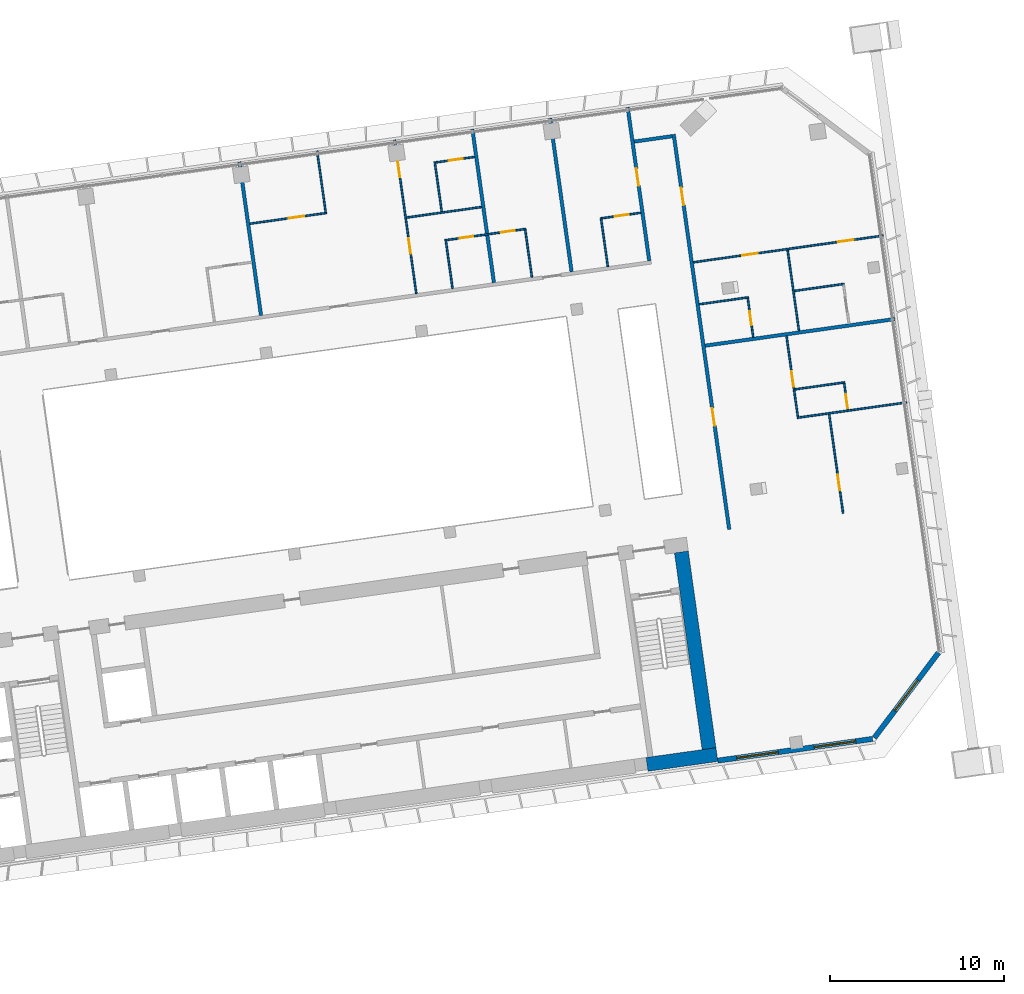
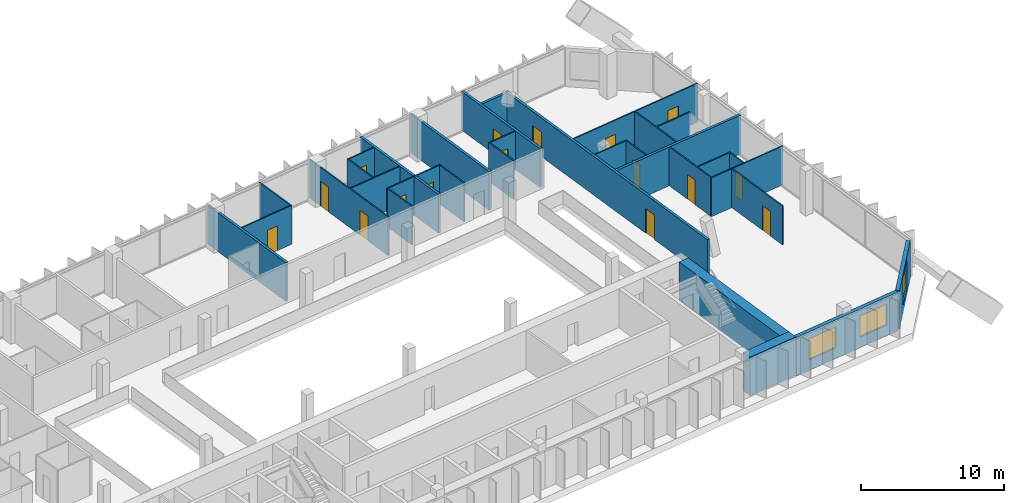
# One storey, part 25 of 34: 32 walls, 16 doors, 3 windows, 19 openings.
"""IFC4 building model written with IfcOpenShell, lengths in metres."""

from ifc_helpers import new_model, si_unit, direction, frame, frame_2d, origin, place, context, subcontext, project, spatial, rectangle, extrude, material, layer, layer_set, type_object, element, fill, save


model = new_model("IFC4")

# Units and contexts
model_context = context("Model", 3, precision=1e-05, world=origin(), true_north=direction((0.0, 1.0)))
body_context = subcontext(model_context, "Body", "Model", "MODEL_VIEW")
ifc_project = project(units=[si_unit("LENGTHUNIT", "METRE"), si_unit("AREAUNIT", "SQUARE_METRE"), si_unit("VOLUMEUNIT", "CUBIC_METRE"), si_unit("PLANEANGLEUNIT", "RADIAN"), si_unit("MASSUNIT", "GRAM", prefix="KILO")], contexts=[model_context])

# Site, building, storey
site_placement = place(None, origin())
site = spatial("IfcSite", under=ifc_project, at=site_placement, CompositionType="ELEMENT")
building_placement = place(site_placement, origin())
building = spatial("IfcBuilding", under=site, at=building_placement, Name="Mirante Cascada Hotel Towers", CompositionType="ELEMENT")
storey_placement = place(building_placement, frame((0.0, 0.0, 148.1)))
storey = spatial("IfcBuildingStorey", under=building, at=storey_placement, Name="L34", CompositionType="ELEMENT", Elevation=148.1)

# Walls
ifc_material_1 = material(Name="Fire-rated plasterboard on metal studs")
ifc_layer_1 = layer(ifc_material_1, 0.2)
ifc_layer_set_1 = layer_set([ifc_layer_1], Name="Compartment wall 200 EI 120")
wall_type_1 = type_object("IfcWallType", Name="Compartment wall 200 EI 120", PredefinedType="PARTITIONING", material=ifc_layer_set_1)
wall_1_placement = place(storey_placement, frame((100.6266, 12.8067, 0.0), z_axis=(0.0, 0.0, 1.0), x_axis=(-0.990268, -0.1391733, 0.0)))
element("IfcWall", 1, at=wall_1_placement, inside=storey, type_object=wall_type_1, Name="Wall 2-L34-12", PredefinedType="PARTITIONING", context=body_context, shape_type="SweptSolid", body=[
    extrude(rectangle(XDim=11.0, YDim=0.2, at=frame_2d((5.5, 0.0))), origin(), (0.0, 0.0, 1.0), 3.3),
])
wall_2_placement = place(storey_placement, frame((85.6638, 22.9901, 0.0), z_axis=(0.0, 0.0, 1.0), x_axis=(0.990267, 0.139181, 0.0)))
element("IfcWall", 2, at=wall_2_placement, inside=storey, type_object=wall_type_1, Name="Wall 2-L34-25", PredefinedType="PARTITIONING", context=body_context, shape_type="SweptSolid", body=[
    extrude(rectangle(XDim=2.2, YDim=0.2, at=frame_2d((1.1, 0.0))), origin(), (0.0, 0.0, 1.0), 3.3),
])
for number, where, z_axis, x_axis, name in (
    (3, (64.244, 13.0119, 0.0), (0.0, 0.0, 1.0), (-0.1391684, 0.9902687, 0.0), "Wall 2-L34-41"),
    (4, (76.374, 23.7042, 0.0), (0.0, 0.0, 1.0), (0.1391684, -0.9902687, 0.0), "Wall 2-L34-46"),
):
    element("IfcWall", number, at=place(storey_placement, frame(where, z_axis=z_axis, x_axis=x_axis)), inside=storey, type_object=wall_type_1, Name=name, PredefinedType="PARTITIONING", context=body_context, shape_type="SweptSolid", body=[
        extrude(rectangle(XDim=8.9, YDim=0.2, at=frame_2d((4.45, 0.0))), origin(), (0.0, 0.0, 1.0), 3.3),
    ])
wall_3_placement = place(storey_placement, frame((80.8302, 24.3304, 0.0), z_axis=(0.0, 0.0, 1.0), x_axis=(0.13917, -0.9902685, 0.0)))
element("IfcWall", 5, at=wall_3_placement, inside=storey, type_object=wall_type_1, Name="Wall 2-L34-48", PredefinedType="PARTITIONING", context=body_context, shape_type="SweptSolid", body=[
    extrude(rectangle(XDim=8.8999, YDim=0.2, at=frame_2d((4.45, 0.0))), origin(), (0.0, 0.0, 1.0), 3.3),
])

# Wall, opening, door
wall_4_placement = place(storey_placement, frame((85.2864, 24.9567, 0.0), z_axis=(0.0, 0.0, 1.0), x_axis=(0.1391684, -0.9902687, 0.0)))
wall_4 = element("IfcWall", 6, at=wall_4_placement, inside=storey, type_object=wall_type_1, Name="Wall 2-L34-50", PredefinedType="PARTITIONING", context=body_context, shape_type="SweptSolid", body=[
    extrude(rectangle(XDim=8.9, YDim=0.2, at=frame_2d((4.45, 0.0))), origin(), (0.0, 0.0, 1.0), 3.3),
])
opening_1_placement = place(wall_4_placement, frame((3.55, 0.0, 0.0)))
opening_1 = element("IfcOpeningElement", 7, at=opening_1_placement, cuts=wall_4, Name="Opening D2-L34-28", PredefinedType="OPENING", context=body_context, shape_type="SweptSolid", body=[
    extrude(rectangle(XDim=1.0, YDim=2.1, at=frame_2d((0.5, 1.05))), frame((0.0, 0.1, 0.0), z_axis=(0.0, -1.0, 0.0), x_axis=(1.0, 0.0, 0.0)), (0.0, 0.0, 1.0), 0.2),
])
ifc_material_2 = material(Name="Fire-rated timber door leaf", Category="wood")
door_type_1 = type_object("IfcDoorType", Name="Entrance door DG1 1000x2100 EI 60", OperationType="SINGLE_SWING_LEFT", PredefinedType="DOOR", material=ifc_material_2)
door_1_placement = place(opening_1_placement, frame((1.0, 0.0, 0.0), z_axis=(0.0, 0.0, 1.0), x_axis=(-1.0, 0.0, 0.0)))
door_1 = element("IfcDoor", 8, at=door_1_placement, inside=storey, type_object=door_type_1, Name="Door D2-L34-28", OperationType="SINGLE_SWING_RIGHT", OverallHeight=2.1, OverallWidth=1.0, PredefinedType="DOOR", context=body_context, shape_type="SweptSolid", body=[
    extrude(rectangle(XDim=1.0, YDim=2.1, at=frame_2d((0.5, 1.05))), frame((0.0, 0.025, 0.0), z_axis=(0.0, -1.0, 0.0), x_axis=(1.0, 0.0, 0.0)), (0.0, 0.0, 1.0), 0.05),
])
fill(opening_1, door_1)

# Wall, openings, doors
wall_5_placement = place(storey_placement, frame((91.1145, 0.7321, 0.0), z_axis=(0.0, 0.0, 1.0), x_axis=(-0.1391706, 0.9902684, 0.0)))
wall_5 = element("IfcWall", 9, at=wall_5_placement, inside=storey, type_object=wall_type_1, Name="Wall 2-L34-51", PredefinedType="PARTITIONING", context=body_context, shape_type="SweptSolid", body=[
    extrude(rectangle(XDim=22.9, YDim=0.2, at=frame_2d((11.45, 0.0))), origin(), (0.0, 0.0, 1.0), 3.3),
])
opening_2_placement = place(wall_5_placement, frame((6.0167, 0.0, 0.0)))
opening_2 = element("IfcOpeningElement", 10, at=opening_2_placement, cuts=wall_5, Name="Opening D2-L34-29", PredefinedType="OPENING", context=body_context, shape_type="SweptSolid", body=[
    extrude(rectangle(XDim=1.0, YDim=2.1, at=frame_2d((0.5, 1.05))), frame((0.0, 0.1, 0.0), z_axis=(0.0, -1.0, 0.0), x_axis=(1.0, 0.0, 0.0)), (0.0, 0.0, 1.0), 0.2),
])
opening_3_placement = place(wall_5_placement, frame((18.8, 0.0, 0.0)))
opening_3 = element("IfcOpeningElement", 11, at=opening_3_placement, cuts=wall_5, Name="Opening D2-L34-30", PredefinedType="OPENING", context=body_context, shape_type="SweptSolid", body=[
    extrude(rectangle(XDim=1.0, YDim=2.1, at=frame_2d((0.5, 1.05))), frame((0.0, 0.1, 0.0), z_axis=(0.0, -1.0, 0.0), x_axis=(1.0, 0.0, 0.0)), (0.0, 0.0, 1.0), 0.2),
])
door_2_placement = place(opening_2_placement, frame((1.0, 0.0, 0.0), z_axis=(0.0, 0.0, 1.0), x_axis=(-1.0, 0.0, 0.0)))
door_2 = element("IfcDoor", 12, at=door_2_placement, inside=storey, type_object=door_type_1, Name="Door D2-L34-29", OperationType="SINGLE_SWING_RIGHT", OverallHeight=2.1, OverallWidth=1.0, PredefinedType="DOOR", context=body_context, shape_type="SweptSolid", body=[
    extrude(rectangle(XDim=1.0, YDim=2.1, at=frame_2d((0.5, 1.05))), frame((0.0, 0.025, 0.0), z_axis=(0.0, -1.0, 0.0), x_axis=(1.0, 0.0, 0.0)), (0.0, 0.0, 1.0), 0.05),
])
fill(opening_2, door_2)
door_3_placement = place(opening_3_placement, frame((1.0, 0.0, 0.0), z_axis=(0.0, 0.0, 1.0), x_axis=(-1.0, 0.0, 0.0)))
door_3 = element("IfcDoor", 13, at=door_3_placement, inside=storey, type_object=door_type_1, Name="Door D2-L34-30", OperationType="SINGLE_SWING_RIGHT", OverallHeight=2.1, OverallWidth=1.0, PredefinedType="DOOR", context=body_context, shape_type="SweptSolid", body=[
    extrude(rectangle(XDim=1.0, YDim=2.1, at=frame_2d((0.5, 1.05))), frame((0.0, 0.025, 0.0), z_axis=(0.0, -1.0, 0.0), x_axis=(1.0, 0.0, 0.0)), (0.0, 0.0, 1.0), 0.05),
])
fill(opening_3, door_3)

# Walls
ifc_material_3 = material(Name="Plasterboard on metal studs")
ifc_layer_2 = layer(ifc_material_3, 0.1)
ifc_layer_set_2 = layer_set([ifc_layer_2], Name="Partition 100")
wall_type_2 = type_object("IfcWallType", Name="Partition 100", PredefinedType="PARTITIONING", material=ifc_layer_set_2)
wall_6_placement = place(storey_placement, frame((95.0111, 7.1367, 0.0), z_axis=(0.0, 0.0, 1.0), x_axis=(0.990267, 0.139181, 0.0)))
element("IfcWall", 14, at=wall_6_placement, inside=storey, type_object=wall_type_2, Name="Wall 2-L34-07", PredefinedType="PARTITIONING", context=body_context, shape_type="SweptSolid", body=[
    extrude(rectangle(XDim=6.35, YDim=0.1, at=frame_2d((3.175, 0.0))), origin(), (0.0, 0.0, 1.0), 3.3),
])
wall_7_placement = place(storey_placement, frame((97.7546, 9.1716, 0.0), z_axis=(0.0, 0.0, 1.0), x_axis=(-0.9902683, -0.1391714, 0.0)))
element("IfcWall", 15, at=wall_7_placement, inside=storey, type_object=wall_type_2, Name="Wall 2-L34-08", PredefinedType="PARTITIONING", context=body_context, shape_type="SweptSolid", body=[
    extrude(rectangle(XDim=2.9, YDim=0.1, at=frame_2d((1.45, 0.0))), origin(), (0.0, 0.0, 1.0), 3.3),
])
wall_8_placement = place(storey_placement, frame((89.3997, 13.6525, 0.0), z_axis=(0.0, 0.0, 1.0), x_axis=(0.9902697, 0.1391613, 0.0)))
element("IfcWall", 16, at=wall_8_placement, inside=storey, type_object=wall_type_2, Name="Wall 2-L34-13", PredefinedType="PARTITIONING", context=body_context, shape_type="SweptSolid", body=[
    extrude(rectangle(XDim=2.8499, YDim=0.1, at=frame_2d((1.425, 0.0))), origin(), (0.0, 0.0, 1.0), 3.3),
])
wall_9_placement = place(storey_placement, frame((97.7179, 14.8215, 0.0), z_axis=(0.0, 0.0, 1.0), x_axis=(-0.9902683, -0.1391714, 0.0)))
element("IfcWall", 17, at=wall_9_placement, inside=storey, type_object=wall_type_2, Name="Wall 2-L34-14", PredefinedType="PARTITIONING", context=body_context, shape_type="SweptSolid", body=[
    extrude(rectangle(XDim=2.9, YDim=0.1, at=frame_2d((1.45, 0.0))), origin(), (0.0, 0.0, 1.0), 3.3),
])

# Wall, openings, doors
wall_10_placement = place(storey_placement, frame((89.061, 16.0622, 0.0), z_axis=(0.0, 0.0, 1.0), x_axis=(0.9902682, 0.1391721, 0.0)))
wall_10 = element("IfcWall", 18, at=wall_10_placement, inside=storey, type_object=wall_type_2, Name="Wall 2-L34-15", PredefinedType="PARTITIONING", context=body_context, shape_type="SweptSolid", body=[
    extrude(rectangle(XDim=11.0001, YDim=0.1, at=frame_2d((5.5, 0.0))), origin(), (0.0, 0.0, 1.0), 3.3),
])
opening_4_placement = place(wall_10_placement, frame((2.825, 0.0, 0.0)))
opening_4 = element("IfcOpeningElement", 19, at=opening_4_placement, cuts=wall_10, Name="Opening D2-L34-04", PredefinedType="OPENING", context=body_context, shape_type="SweptSolid", body=[
    extrude(rectangle(XDim=0.9, YDim=2.1, at=frame_2d((0.45, 1.05))), frame((0.0, 0.05, 0.0), z_axis=(0.0, -1.0, 0.0), x_axis=(1.0, 0.0, 0.0)), (0.0, 0.0, 1.0), 0.1),
])
opening_5_placement = place(wall_10_placement, frame((8.375, 0.0, 0.0)))
opening_5 = element("IfcOpeningElement", 20, at=opening_5_placement, cuts=wall_10, Name="Opening D2-L34-05", PredefinedType="OPENING", context=body_context, shape_type="SweptSolid", body=[
    extrude(rectangle(XDim=0.9, YDim=2.1, at=frame_2d((0.45, 1.05))), frame((0.0, 0.05, 0.0), z_axis=(0.0, -1.0, 0.0), x_axis=(1.0, 0.0, 0.0)), (0.0, 0.0, 1.0), 0.1),
])
ifc_material_4 = material(Name="Timber door leaf", Category="wood")
door_type_2 = type_object("IfcDoorType", Name="Room door DG3 900x2100", OperationType="SINGLE_SWING_LEFT", PredefinedType="DOOR", material=ifc_material_4)
door_4_placement = place(opening_4_placement, origin())
door_4 = element("IfcDoor", 21, at=door_4_placement, inside=storey, type_object=door_type_2, Name="Door D2-L34-04", OperationType="SINGLE_SWING_LEFT", OverallHeight=2.1, OverallWidth=0.9, PredefinedType="DOOR", context=body_context, shape_type="SweptSolid", body=[
    extrude(rectangle(XDim=0.9, YDim=2.1, at=frame_2d((0.45, 1.05))), frame((0.0, 0.025, 0.0), z_axis=(0.0, -1.0, 0.0), x_axis=(1.0, 0.0, 0.0)), (0.0, 0.0, 1.0), 0.05),
])
fill(opening_4, door_4)
door_5_placement = place(opening_5_placement, origin())
door_5 = element("IfcDoor", 22, at=door_5_placement, inside=storey, type_object=door_type_2, Name="Door D2-L34-05", OperationType="SINGLE_SWING_LEFT", OverallHeight=2.1, OverallWidth=0.9, PredefinedType="DOOR", context=body_context, shape_type="SweptSolid", body=[
    extrude(rectangle(XDim=0.9, YDim=2.1, at=frame_2d((0.45, 1.05))), frame((0.0, 0.025, 0.0), z_axis=(0.0, -1.0, 0.0), x_axis=(1.0, 0.0, 0.0)), (0.0, 0.0, 1.0), 0.05),
])
fill(opening_5, door_5)

wall_11_placement = place(storey_placement, frame((74.7968, 17.3226, 0.0), z_axis=(0.0, 0.0, 1.0), x_axis=(0.9902682, 0.139172, 0.0)))
wall_11 = element("IfcWall", 23, at=wall_11_placement, inside=storey, type_object=wall_type_2, Name="Wall 2-L34-19", PredefinedType="PARTITIONING", context=body_context, shape_type="SweptSolid", body=[
    extrude(rectangle(XDim=4.6999, YDim=0.1, at=frame_2d((2.35, 0.0))), origin(), (0.0, 0.0, 1.0), 3.3),
])
opening_6_placement = place(wall_11_placement, frame((0.85, 0.0, 0.0)))
opening_6 = element("IfcOpeningElement", 24, at=opening_6_placement, cuts=wall_11, Name="Opening D2-L34-14", PredefinedType="OPENING", context=body_context, shape_type="SweptSolid", body=[
    extrude(rectangle(XDim=0.8, YDim=2.1, at=frame_2d((0.4, 1.05))), frame((0.0, 0.05, 0.0), z_axis=(0.0, -1.0, 0.0), x_axis=(1.0, 0.0, 0.0)), (0.0, 0.0, 1.0), 0.1),
])
opening_7_placement = place(wall_11_placement, frame((3.25, 0.0, 0.0)))
opening_7 = element("IfcOpeningElement", 25, at=opening_7_placement, cuts=wall_11, Name="Opening D2-L34-15", PredefinedType="OPENING", context=body_context, shape_type="SweptSolid", body=[
    extrude(rectangle(XDim=0.8, YDim=2.1, at=frame_2d((0.4, 1.05))), frame((0.0, 0.05, 0.0), z_axis=(0.0, -1.0, 0.0), x_axis=(1.0, 0.0, 0.0)), (0.0, 0.0, 1.0), 0.1),
])
ifc_material_5 = material(Name="Timber door leaf", Category="wood")
door_type_3 = type_object("IfcDoorType", Name="Bathroom door DG4 800x2100", OperationType="SINGLE_SWING_LEFT", PredefinedType="DOOR", material=ifc_material_5)
door_6_placement = place(opening_6_placement, frame((0.8, 0.0, 0.0), z_axis=(0.0, 0.0, 1.0), x_axis=(-1.0, 0.0, 0.0)))
door_6 = element("IfcDoor", 26, at=door_6_placement, inside=storey, type_object=door_type_3, Name="Door D2-L34-14", OperationType="SINGLE_SWING_RIGHT", OverallHeight=2.1, OverallWidth=0.8, PredefinedType="DOOR", context=body_context, shape_type="SweptSolid", body=[
    extrude(rectangle(XDim=0.8, YDim=2.1, at=frame_2d((0.4, 1.05))), frame((0.0, 0.025, 0.0), z_axis=(0.0, -1.0, 0.0), x_axis=(1.0, 0.0, 0.0)), (0.0, 0.0, 1.0), 0.05),
])
fill(opening_6, door_6)
door_7_placement = place(opening_7_placement, origin())
door_7 = element("IfcDoor", 27, at=door_7_placement, inside=storey, type_object=door_type_3, Name="Door D2-L34-15", OperationType="SINGLE_SWING_LEFT", OverallHeight=2.1, OverallWidth=0.8, PredefinedType="DOOR", context=body_context, shape_type="SweptSolid", body=[
    extrude(rectangle(XDim=0.8, YDim=2.1, at=frame_2d((0.4, 1.05))), frame((0.0, 0.025, 0.0), z_axis=(0.0, -1.0, 0.0), x_axis=(1.0, 0.0, 0.0)), (0.0, 0.0, 1.0), 0.05),
])
fill(opening_7, door_7)

# Wall, opening, door
wall_12_placement = place(storey_placement, frame((86.0363, 18.9022, 0.0), z_axis=(0.0, 0.0, 1.0), x_axis=(-0.9902643, -0.1391997, 0.0)))
wall_12 = element("IfcWall", 28, at=wall_12_placement, inside=storey, type_object=wall_type_2, Name="Wall 2-L34-20", PredefinedType="PARTITIONING", context=body_context, shape_type="SweptSolid", body=[
    extrude(rectangle(XDim=2.25, YDim=0.1, at=frame_2d((1.125, 0.0))), origin(), (0.0, 0.0, 1.0), 3.3),
])
opening_8_placement = place(wall_12_placement, frame((0.7, 0.0, 0.0)))
opening_8 = element("IfcOpeningElement", 29, at=opening_8_placement, cuts=wall_12, Name="Opening D2-L34-16", PredefinedType="OPENING", context=body_context, shape_type="SweptSolid", body=[
    extrude(rectangle(XDim=0.8, YDim=2.1, at=frame_2d((0.4, 1.05))), frame((0.0, 0.05, 0.0), z_axis=(0.0, -1.0, 0.0), x_axis=(1.0, 0.0, 0.0)), (0.0, 0.0, 1.0), 0.1),
])
door_8_placement = place(opening_8_placement, frame((0.8, 0.0, 0.0), z_axis=(0.0, 0.0, 1.0), x_axis=(-1.0, 0.0, 0.0)))
door_8 = element("IfcDoor", 30, at=door_8_placement, inside=storey, type_object=door_type_3, Name="Door D2-L34-16", OperationType="SINGLE_SWING_RIGHT", OverallHeight=2.1, OverallWidth=0.8, PredefinedType="DOOR", context=body_context, shape_type="SweptSolid", body=[
    extrude(rectangle(XDim=0.8, YDim=2.1, at=frame_2d((0.4, 1.05))), frame((0.0, 0.025, 0.0), z_axis=(0.0, -1.0, 0.0), x_axis=(1.0, 0.0, 0.0)), (0.0, 0.0, 1.0), 0.05),
])
fill(opening_8, door_8)

# Wall
wall_13_placement = place(storey_placement, frame((76.9012, 19.234, 0.0), z_axis=(0.0, 0.0, 1.0), x_axis=(-0.9902679, -0.1391745, 0.0)))
element("IfcWall", 31, at=wall_13_placement, inside=storey, type_object=wall_type_2, Name="Wall 2-L34-22", PredefinedType="PARTITIONING", context=body_context, shape_type="SweptSolid", body=[
    extrude(rectangle(XDim=4.3499, YDim=0.1, at=frame_2d((2.175, 0.0))), origin(), (0.0, 0.0, 1.0), 3.3),
])

# Wall, opening, door
wall_14_placement = place(storey_placement, frame((63.6054, 18.2743, 0.0), z_axis=(0.0, 0.0, 1.0), x_axis=(0.9902687, 0.1391684, 0.0)))
wall_14 = element("IfcWall", 32, at=wall_14_placement, inside=storey, type_object=wall_type_2, Name="Wall 2-L34-23", PredefinedType="PARTITIONING", context=body_context, shape_type="SweptSolid", body=[
    extrude(rectangle(XDim=4.45, YDim=0.1, at=frame_2d((2.225, 0.0))), origin(), (0.0, 0.0, 1.0), 3.3),
])
opening_9_placement = place(wall_14_placement, frame((2.25, 0.0, 0.0)))
opening_9 = element("IfcOpeningElement", 33, at=opening_9_placement, cuts=wall_14, Name="Opening D2-L34-18", PredefinedType="OPENING", context=body_context, shape_type="SweptSolid", body=[
    extrude(rectangle(XDim=0.9, YDim=2.1, at=frame_2d((0.45, 1.05))), frame((0.0, 0.05, 0.0), z_axis=(0.0, -1.0, 0.0), x_axis=(1.0, 0.0, 0.0)), (0.0, 0.0, 1.0), 0.1),
])
door_9_placement = place(opening_9_placement, frame((0.9, 0.0, 0.0), z_axis=(0.0, 0.0, 1.0), x_axis=(-1.0, 0.0, 0.0)))
door_9 = element("IfcDoor", 34, at=door_9_placement, inside=storey, type_object=door_type_2, Name="Door D2-L34-18", OperationType="SINGLE_SWING_RIGHT", OverallHeight=2.1, OverallWidth=0.9, PredefinedType="DOOR", context=body_context, shape_type="SweptSolid", body=[
    extrude(rectangle(XDim=0.9, YDim=2.1, at=frame_2d((0.45, 1.05))), frame((0.0, 0.025, 0.0), z_axis=(0.0, -1.0, 0.0), x_axis=(1.0, 0.0, 0.0)), (0.0, 0.0, 1.0), 0.05),
])
fill(opening_9, door_9)

wall_15_placement = place(storey_placement, frame((76.4976, 22.1058, 0.0), z_axis=(0.0, 0.0, 1.0), x_axis=(-0.9902705, -0.1391561, 0.0)))
wall_15 = element("IfcWall", 35, at=wall_15_placement, inside=storey, type_object=wall_type_2, Name="Wall 2-L34-26", PredefinedType="PARTITIONING", context=body_context, shape_type="SweptSolid", body=[
    extrude(rectangle(XDim=2.25, YDim=0.1, at=frame_2d((1.125, 0.0))), origin(), (0.0, 0.0, 1.0), 3.3),
])
opening_10_placement = place(wall_15_placement, frame((0.7, 0.0, 0.0)))
opening_10 = element("IfcOpeningElement", 36, at=opening_10_placement, cuts=wall_15, Name="Opening D2-L34-19", PredefinedType="OPENING", context=body_context, shape_type="SweptSolid", body=[
    extrude(rectangle(XDim=0.8, YDim=2.1, at=frame_2d((0.4, 1.05))), frame((0.0, 0.05, 0.0), z_axis=(0.0, -1.0, 0.0), x_axis=(1.0, 0.0, 0.0)), (0.0, 0.0, 1.0), 0.1),
])
door_10_placement = place(opening_10_placement, origin())
door_10 = element("IfcDoor", 37, at=door_10_placement, inside=storey, type_object=door_type_3, Name="Door D2-L34-19", OperationType="SINGLE_SWING_LEFT", OverallHeight=2.1, OverallWidth=0.8, PredefinedType="DOOR", context=body_context, shape_type="SweptSolid", body=[
    extrude(rectangle(XDim=0.8, YDim=2.1, at=frame_2d((0.4, 1.05))), frame((0.0, 0.025, 0.0), z_axis=(0.0, -1.0, 0.0), x_axis=(1.0, 0.0, 0.0)), (0.0, 0.0, 1.0), 0.05),
])
fill(opening_10, door_10)

# Wall
wall_16_placement = place(storey_placement, frame((67.4616, 22.4516, 0.0), z_axis=(0.0, 0.0, 1.0), x_axis=(0.1391573, -0.9902703, 0.0)))
element("IfcWall", 38, at=wall_16_placement, inside=storey, type_object=wall_type_2, Name="Wall 2-L34-42", PredefinedType="PARTITIONING", context=body_context, shape_type="SweptSolid", body=[
    extrude(rectangle(XDim=3.5499, YDim=0.1, at=frame_2d((1.775, 0.0))), origin(), (0.0, 0.0, 1.0), 3.3),
])

# Wall, openings, doors
wall_17_placement = place(storey_placement, frame((73.1564, 14.2645, 0.0), z_axis=(0.0, 0.0, 1.0), x_axis=(-0.1391684, 0.9902687, 0.0)))
wall_17 = element("IfcWall", 39, at=wall_17_placement, inside=storey, type_object=wall_type_2, Name="Wall 2-L34-43", PredefinedType="PARTITIONING", context=body_context, shape_type="SweptSolid", body=[
    extrude(rectangle(XDim=8.9, YDim=0.1, at=frame_2d((4.45, 0.0))), origin(), (0.0, 0.0, 1.0), 3.3),
])
opening_11_placement = place(wall_17_placement, frame((2.3, 0.0, 0.0)))
opening_11 = element("IfcOpeningElement", 40, at=opening_11_placement, cuts=wall_17, Name="Opening D2-L34-26", PredefinedType="OPENING", context=body_context, shape_type="SweptSolid", body=[
    extrude(rectangle(XDim=0.9, YDim=2.1, at=frame_2d((0.45, 1.05))), frame((0.0, 0.05, 0.0), z_axis=(0.0, -1.0, 0.0), x_axis=(1.0, 0.0, 0.0)), (0.0, 0.0, 1.0), 0.1),
])
opening_12_placement = place(wall_17_placement, frame((6.75, 0.0, 0.0)))
opening_12 = element("IfcOpeningElement", 41, at=opening_12_placement, cuts=wall_17, Name="Opening D2-L34-27", PredefinedType="OPENING", context=body_context, shape_type="SweptSolid", body=[
    extrude(rectangle(XDim=0.9, YDim=2.1, at=frame_2d((0.45, 1.05))), frame((0.0, 0.05, 0.0), z_axis=(0.0, -1.0, 0.0), x_axis=(1.0, 0.0, 0.0)), (0.0, 0.0, 1.0), 0.1),
])
door_11_placement = place(opening_11_placement, origin())
door_11 = element("IfcDoor", 42, at=door_11_placement, inside=storey, type_object=door_type_2, Name="Door D2-L34-26", OperationType="SINGLE_SWING_LEFT", OverallHeight=2.1, OverallWidth=0.9, PredefinedType="DOOR", context=body_context, shape_type="SweptSolid", body=[
    extrude(rectangle(XDim=0.9, YDim=2.1, at=frame_2d((0.45, 1.05))), frame((0.0, 0.025, 0.0), z_axis=(0.0, -1.0, 0.0), x_axis=(1.0, 0.0, 0.0)), (0.0, 0.0, 1.0), 0.05),
])
fill(opening_11, door_11)
door_12_placement = place(opening_12_placement, origin())
door_12 = element("IfcDoor", 43, at=door_12_placement, inside=storey, type_object=door_type_2, Name="Door D2-L34-27", OperationType="SINGLE_SWING_LEFT", OverallHeight=2.1, OverallWidth=0.9, PredefinedType="DOOR", context=body_context, shape_type="SweptSolid", body=[
    extrude(rectangle(XDim=0.9, YDim=2.1, at=frame_2d((0.45, 1.05))), frame((0.0, 0.025, 0.0), z_axis=(0.0, -1.0, 0.0), x_axis=(1.0, 0.0, 0.0)), (0.0, 0.0, 1.0), 0.05),
])
fill(opening_12, door_12)

# Walls
wall_18_placement = place(storey_placement, frame((74.8533, 17.28, 0.0), z_axis=(0.0, 0.0, 1.0), x_axis=(0.1391657, -0.9902691, 0.0)))
element("IfcWall", 44, at=wall_18_placement, inside=storey, type_object=wall_type_2, Name="Wall 2-L34-44", PredefinedType="PARTITIONING", context=body_context, shape_type="SweptSolid", body=[
    extrude(rectangle(XDim=2.75, YDim=0.1, at=frame_2d((1.375, 0.0))), origin(), (0.0, 0.0, 1.0), 3.3),
])
wall_19_placement = place(storey_placement, frame((74.6167, 18.9635, 0.0), z_axis=(0.0, 0.0, 1.0), x_axis=(-0.1391761, 0.9902676, 0.0)))
element("IfcWall", 45, at=wall_19_placement, inside=storey, type_object=wall_type_2, Name="Wall 2-L34-45", PredefinedType="PARTITIONING", context=body_context, shape_type="SweptSolid", body=[
    extrude(rectangle(XDim=2.8999, YDim=0.1, at=frame_2d((1.45, 0.0))), origin(), (0.0, 0.0, 1.0), 3.3),
])
wall_20_placement = place(storey_placement, frame((79.7912, 15.197, 0.0), z_axis=(0.0, 0.0, 1.0), x_axis=(-0.1391657, 0.9902691, 0.0)))
element("IfcWall", 46, at=wall_20_placement, inside=storey, type_object=wall_type_2, Name="Wall 2-L34-47", PredefinedType="PARTITIONING", context=body_context, shape_type="SweptSolid", body=[
    extrude(rectangle(XDim=2.75, YDim=0.1, at=frame_2d((1.375, 0.0))), origin(), (0.0, 0.0, 1.0), 3.3),
])
wall_21_placement = place(storey_placement, frame((84.1484, 15.8093, 0.0), z_axis=(0.0, 0.0, 1.0), x_axis=(-0.1391909, 0.9902656, 0.0)))
element("IfcWall", 47, at=wall_21_placement, inside=storey, type_object=wall_type_2, Name="Wall 2-L34-49", PredefinedType="PARTITIONING", context=body_context, shape_type="SweptSolid", body=[
    extrude(rectangle(XDim=2.85, YDim=0.1, at=frame_2d((1.425, 0.0))), origin(), (0.0, 0.0, 1.0), 3.3),
])

# Wall, opening, door
wall_22_placement = place(storey_placement, frame((92.1794, 13.9926, 0.0), z_axis=(0.0, 0.0, 1.0), x_axis=(0.1391561, -0.9902705, 0.0)))
wall_22 = element("IfcWall", 48, at=wall_22_placement, inside=storey, type_object=wall_type_2, Name="Wall 2-L34-52", PredefinedType="PARTITIONING", context=body_context, shape_type="SweptSolid", body=[
    extrude(rectangle(XDim=2.25, YDim=0.1, at=frame_2d((1.125, 0.0))), origin(), (0.0, 0.0, 1.0), 3.3),
])
opening_13_placement = place(wall_22_placement, frame((0.75, 0.0, 0.0)))
opening_13 = element("IfcOpeningElement", 49, at=opening_13_placement, cuts=wall_22, Name="Opening D2-L34-31", PredefinedType="OPENING", context=body_context, shape_type="SweptSolid", body=[
    extrude(rectangle(XDim=0.8, YDim=2.1, at=frame_2d((0.4, 1.05))), frame((0.0, 0.05, 0.0), z_axis=(0.0, -1.0, 0.0), x_axis=(1.0, 0.0, 0.0)), (0.0, 0.0, 1.0), 0.1),
])
door_13_placement = place(opening_13_placement, frame((0.8, 0.0, 0.0), z_axis=(0.0, 0.0, 1.0), x_axis=(-1.0, 0.0, 0.0)))
door_13 = element("IfcDoor", 50, at=door_13_placement, inside=storey, type_object=door_type_3, Name="Door D2-L34-31", OperationType="SINGLE_SWING_RIGHT", OverallHeight=2.1, OverallWidth=0.8, PredefinedType="DOOR", context=body_context, shape_type="SweptSolid", body=[
    extrude(rectangle(XDim=0.8, YDim=2.1, at=frame_2d((0.4, 1.05))), frame((0.0, 0.025, 0.0), z_axis=(0.0, -1.0, 0.0), x_axis=(1.0, 0.0, 0.0)), (0.0, 0.0, 1.0), 0.05),
])
fill(opening_13, door_13)

wall_23_placement = place(storey_placement, frame((95.0537, 7.1932, 0.0), z_axis=(0.0, 0.0, 1.0), x_axis=(-0.139176, 0.9902677, 0.0)))
wall_23 = element("IfcWall", 51, at=wall_23_placement, inside=storey, type_object=wall_type_2, Name="Wall 2-L34-53", PredefinedType="PARTITIONING", context=body_context, shape_type="SweptSolid", body=[
    extrude(rectangle(XDim=4.6833, YDim=0.1, at=frame_2d((2.3416, 0.0))), origin(), (0.0, 0.0, 1.0), 3.3),
])
opening_14_placement = place(wall_23_placement, frame((1.7333, 0.0, 0.0)))
opening_14 = element("IfcOpeningElement", 52, at=opening_14_placement, cuts=wall_23, Name="Opening D2-L34-32", PredefinedType="OPENING", context=body_context, shape_type="SweptSolid", body=[
    extrude(rectangle(XDim=0.9, YDim=2.1, at=frame_2d((0.45, 1.05))), frame((0.0, 0.05, 0.0), z_axis=(0.0, -1.0, 0.0), x_axis=(1.0, 0.0, 0.0)), (0.0, 0.0, 1.0), 0.1),
])
door_14_placement = place(opening_14_placement, origin())
door_14 = element("IfcDoor", 53, at=door_14_placement, inside=storey, type_object=door_type_2, Name="Door D2-L34-32", OperationType="SINGLE_SWING_LEFT", OverallHeight=2.1, OverallWidth=0.9, PredefinedType="DOOR", context=body_context, shape_type="SweptSolid", body=[
    extrude(rectangle(XDim=0.9, YDim=2.1, at=frame_2d((0.45, 1.05))), frame((0.0, 0.025, 0.0), z_axis=(0.0, -1.0, 0.0), x_axis=(1.0, 0.0, 0.0)), (0.0, 0.0, 1.0), 0.05),
])
fill(opening_14, door_14)

# Wall
wall_24_placement = place(storey_placement, frame((94.4649, 16.7712, 0.0), z_axis=(0.0, 0.0, 1.0), x_axis=(0.1391701, -0.9902685, 0.0)))
element("IfcWall", 54, at=wall_24_placement, inside=storey, type_object=wall_type_2, Name="Wall 2-L34-54", PredefinedType="PARTITIONING", context=body_context, shape_type="SweptSolid", body=[
    extrude(rectangle(XDim=4.6835, YDim=0.1, at=frame_2d((2.3418, 0.0))), origin(), (0.0, 0.0, 1.0), 3.3),
])

# Wall, opening, door
wall_25_placement = place(storey_placement, frame((97.6503, 1.6506, 0.0), z_axis=(0.0, 0.0, 1.0), x_axis=(-0.139164, 0.9902694, 0.0)))
wall_25 = element("IfcWall", 55, at=wall_25_placement, inside=storey, type_object=wall_type_2, Name="Wall 2-L34-55", PredefinedType="PARTITIONING", context=body_context, shape_type="SweptSolid", body=[
    extrude(rectangle(XDim=5.7501, YDim=0.1, at=frame_2d((2.875, 0.0))), origin(), (0.0, 0.0, 1.0), 3.3),
])
opening_15_placement = place(wall_25_placement, frame((1.3333, 0.0, 0.0)))
opening_15 = element("IfcOpeningElement", 56, at=opening_15_placement, cuts=wall_25, Name="Opening D2-L34-33", PredefinedType="OPENING", context=body_context, shape_type="SweptSolid", body=[
    extrude(rectangle(XDim=0.9, YDim=2.1, at=frame_2d((0.45, 1.05))), frame((0.0, 0.05, 0.0), z_axis=(0.0, -1.0, 0.0), x_axis=(1.0, 0.0, 0.0)), (0.0, 0.0, 1.0), 0.1),
])
door_15_placement = place(opening_15_placement, origin())
door_15 = element("IfcDoor", 57, at=door_15_placement, inside=storey, type_object=door_type_2, Name="Door D2-L34-33", OperationType="SINGLE_SWING_LEFT", OverallHeight=2.1, OverallWidth=0.9, PredefinedType="DOOR", context=body_context, shape_type="SweptSolid", body=[
    extrude(rectangle(XDim=0.9, YDim=2.1, at=frame_2d((0.45, 1.05))), frame((0.0, 0.025, 0.0), z_axis=(0.0, -1.0, 0.0), x_axis=(1.0, 0.0, 0.0)), (0.0, 0.0, 1.0), 0.05),
])
fill(opening_15, door_15)

wall_26_placement = place(storey_placement, frame((97.712, 9.1152, 0.0), z_axis=(0.0, 0.0, 1.0), x_axis=(0.1391749, -0.9902678, 0.0)))
wall_26 = element("IfcWall", 58, at=wall_26_placement, inside=storey, type_object=wall_type_2, Name="Wall 2-L34-56", PredefinedType="PARTITIONING", context=body_context, shape_type="SweptSolid", body=[
    extrude(rectangle(XDim=1.5333, YDim=0.1, at=frame_2d((0.7667, 0.0))), origin(), (0.0, 0.0, 1.0), 3.3),
])
opening_16_placement = place(wall_26_placement, frame((0.6333, 0.0, 0.0)))
opening_16 = element("IfcOpeningElement", 59, at=opening_16_placement, cuts=wall_26, Name="Opening D2-L34-34", PredefinedType="OPENING", context=body_context, shape_type="SweptSolid", body=[
    extrude(rectangle(XDim=0.8, YDim=2.1, at=frame_2d((0.4, 1.05))), frame((0.0, 0.05, 0.0), z_axis=(0.0, -1.0, 0.0), x_axis=(1.0, 0.0, 0.0)), (0.0, 0.0, 1.0), 0.1),
])
door_16_placement = place(opening_16_placement, origin())
door_16 = element("IfcDoor", 60, at=door_16_placement, inside=storey, type_object=door_type_3, Name="Door D2-L34-34", OperationType="SINGLE_SWING_LEFT", OverallHeight=2.1, OverallWidth=0.8, PredefinedType="DOOR", context=body_context, shape_type="SweptSolid", body=[
    extrude(rectangle(XDim=0.8, YDim=2.1, at=frame_2d((0.4, 1.05))), frame((0.0, 0.025, 0.0), z_axis=(0.0, -1.0, 0.0), x_axis=(1.0, 0.0, 0.0)), (0.0, 0.0, 1.0), 0.05),
])
fill(opening_16, door_16)

# Wall, openings, windows
ifc_material_6 = material(Name="Precast concrete C40/50", Category="concrete")
ifc_layer_3 = layer(ifc_material_6, 0.3)
ifc_layer_set_3 = layer_set([ifc_layer_3], Name="Precast concrete C40/50 cladding wall 300")
wall_type_3 = type_object("IfcWallType", Name="Precast concrete C40/50 cladding wall 300", PredefinedType="STANDARD", material=ifc_layer_set_3)
wall_27_placement = place(storey_placement, frame((90.4551, -12.5388, 0.0), z_axis=(0.0, 0.0, 1.0), x_axis=(0.9902678, 0.1391749, 0.0)))
wall_27 = element("IfcWall", 61, at=wall_27_placement, inside=storey, type_object=wall_type_3, Name="Rear cladding wall T2 L34 1", PredefinedType="STANDARD", context=body_context, shape_type="SweptSolid", body=[
    extrude(rectangle(XDim=8.9758, YDim=0.3, at=frame_2d((4.4879, 0.0))), origin(), (0.0, 0.0, 1.0), 3.3),
])
opening_17_placement = place(wall_27_placement, frame((1.1012, 0.0, 0.9)))
opening_17 = element("IfcOpeningElement", 62, at=opening_17_placement, cuts=wall_27, Name="Opening W2-34-01", PredefinedType="OPENING", context=body_context, shape_type="SweptSolid", body=[
    extrude(rectangle(XDim=2.4, YDim=1.8, at=frame_2d((1.2, 0.9))), frame((0.0, 0.15, 0.0), z_axis=(0.0, -1.0, 0.0), x_axis=(1.0, 0.0, 0.0)), (0.0, 0.0, 1.0), 0.3),
])
opening_18_placement = place(wall_27_placement, frame((5.5923, 0.0, 0.9)))
opening_18 = element("IfcOpeningElement", 63, at=opening_18_placement, cuts=wall_27, Name="Opening W2-34-02", PredefinedType="OPENING", context=body_context, shape_type="SweptSolid", body=[
    extrude(rectangle(XDim=2.4, YDim=1.8, at=frame_2d((1.2, 0.9))), frame((0.0, 0.15, 0.0), z_axis=(0.0, -1.0, 0.0), x_axis=(1.0, 0.0, 0.0)), (0.0, 0.0, 1.0), 0.3),
])
ifc_material_7 = material(Name="Aluminium frame with clear double glazing", Category="aluminium")
window_type_1 = type_object("IfcWindowType", Name="Punched window 2400x1800", PartitioningType="DOUBLE_PANEL_VERTICAL", PredefinedType="WINDOW", material=ifc_material_7)
window_1_placement = place(opening_17_placement, origin())
window_1 = element("IfcWindow", 64, at=window_1_placement, inside=storey, type_object=window_type_1, Name="Window W2-34-01", OverallHeight=1.8, OverallWidth=2.4, PartitioningType="SINGLE_PANEL", PredefinedType="WINDOW", context=body_context, shape_type="SweptSolid", body=[
    extrude(rectangle(XDim=2.4, YDim=1.8, at=frame_2d((1.2, 0.9))), frame((0.0, 0.03, 0.0), z_axis=(0.0, -1.0, 0.0), x_axis=(1.0, 0.0, 0.0)), (0.0, 0.0, 1.0), 0.06),
])
fill(opening_17, window_1)
window_2_placement = place(opening_18_placement, origin())
window_2 = element("IfcWindow", 65, at=window_2_placement, inside=storey, type_object=window_type_1, Name="Window W2-34-02", OverallHeight=1.8, OverallWidth=2.4, PartitioningType="SINGLE_PANEL", PredefinedType="WINDOW", context=body_context, shape_type="SweptSolid", body=[
    extrude(rectangle(XDim=2.4, YDim=1.8, at=frame_2d((1.2, 0.9))), frame((0.0, 0.03, 0.0), z_axis=(0.0, -1.0, 0.0), x_axis=(1.0, 0.0, 0.0)), (0.0, 0.0, 1.0), 0.06),
])
fill(opening_18, window_2)

# Wall, opening, window
wall_28_placement = place(storey_placement, frame((99.4424, -11.2313, 0.0), z_axis=(0.0, 0.0, 1.0), x_axis=(0.6018194, 0.7986322, 0.0)))
wall_28 = element("IfcWall", 66, at=wall_28_placement, inside=storey, type_object=wall_type_3, Name="Corner cladding wall T2 L34 rear outer", PredefinedType="STANDARD", context=body_context, shape_type="SweptSolid", body=[
    extrude(rectangle(XDim=6.1155, YDim=0.3, at=frame_2d((3.0578, 0.0))), origin(), (0.0, 0.0, 1.0), 3.3),
])
opening_19_placement = place(wall_28_placement, frame((1.9576, 0.0, 0.6)))
opening_19 = element("IfcOpeningElement", 67, at=opening_19_placement, cuts=wall_28, Name="Opening W2-34-03", PredefinedType="OPENING", context=body_context, shape_type="SweptSolid", body=[
    extrude(rectangle(XDim=2.2, YDim=2.4, at=frame_2d((1.1, 1.2))), frame((0.0, 0.15, 0.0), z_axis=(0.0, -1.0, 0.0), x_axis=(1.0, 0.0, 0.0)), (0.0, 0.0, 1.0), 0.3),
])
ifc_material_8 = material(Name="Aluminium frame with clear double glazing", Category="aluminium")
window_type_2 = type_object("IfcWindowType", Name="Corner suite window 2200x2400", PartitioningType="DOUBLE_PANEL_VERTICAL", PredefinedType="WINDOW", material=ifc_material_8)
window_3_placement = place(opening_19_placement, origin())
window_3 = element("IfcWindow", 68, at=window_3_placement, inside=storey, type_object=window_type_2, Name="Window W2-34-03", OverallHeight=2.4, OverallWidth=2.2, PartitioningType="SINGLE_PANEL", PredefinedType="WINDOW", context=body_context, shape_type="SweptSolid", body=[
    extrude(rectangle(XDim=2.2, YDim=2.4, at=frame_2d((1.1, 1.2))), frame((0.0, 0.03, 0.0), z_axis=(0.0, -1.0, 0.0), x_axis=(1.0, 0.0, 0.0)), (0.0, 0.0, 1.0), 0.06),
])
fill(opening_19, window_3)

# Walls
ifc_material_9 = material(Name="Concrete C50/60", Category="concrete")
ifc_layer_4 = layer(ifc_material_9, 0.8)
ifc_layer_set_4 = layer_set([ifc_layer_4], Name="RC core wall 800 C50/60")
wall_type_4 = type_object("IfcWallType", Name="RC core wall 800 C50/60", PredefinedType="SHEAR", material=ifc_layer_set_4)
wall_29_placement = place(storey_placement, frame((86.3958, -12.7559, 0.0), z_axis=(0.0, 0.0, 1.0), x_axis=(0.9902665, 0.1391845, 0.0)))
element("IfcWall", 69, at=wall_29_placement, inside=storey, type_object=wall_type_4, Name="Core wall T2:L34:1.7", PredefinedType="SHEAR", context=body_context, shape_type="SweptSolid", body=[
    extrude(rectangle(XDim=4.05, YDim=0.8, at=frame_2d((2.025, 0.0))), origin(), (0.0, 0.0, 1.0), 3.3),
])
wall_30_placement = place(storey_placement, frame((89.9546, -11.8518, 0.0), z_axis=(0.0, 0.0, 1.0), x_axis=(-0.1391761, 0.9902677, 0.0)))
element("IfcWall", 70, at=wall_30_placement, inside=storey, type_object=wall_type_4, Name="Core wall T2:L34:4", PredefinedType="SHEAR", context=body_context, shape_type="SweptSolid", body=[
    extrude(rectangle(XDim=11.3999, YDim=0.8, at=frame_2d((5.7, 0.0))), origin(), (0.0, 0.0, 1.0), 3.3),
])

save(model, "model.ifc")
